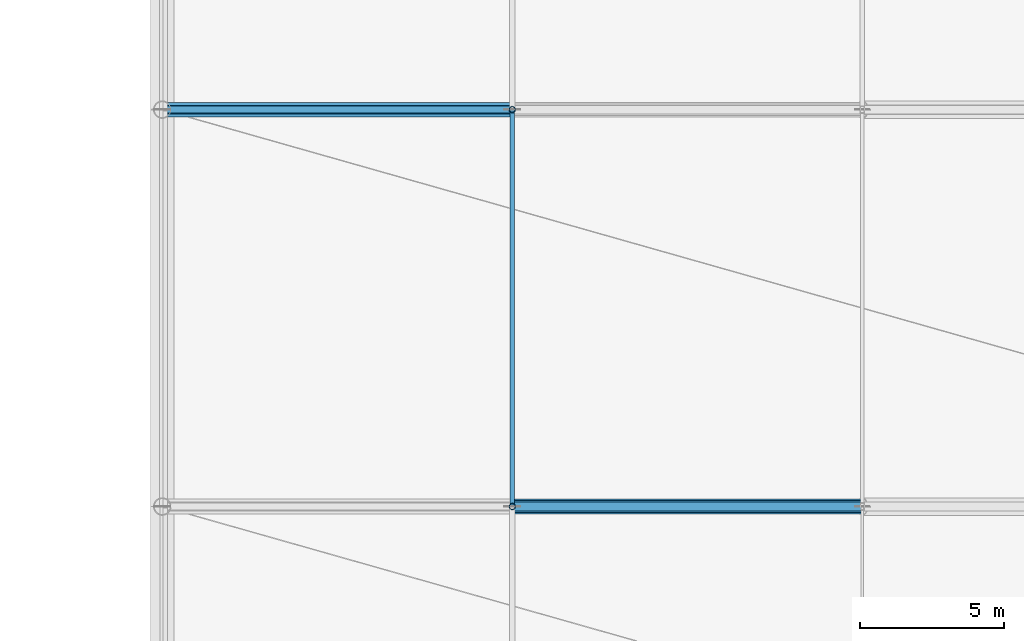
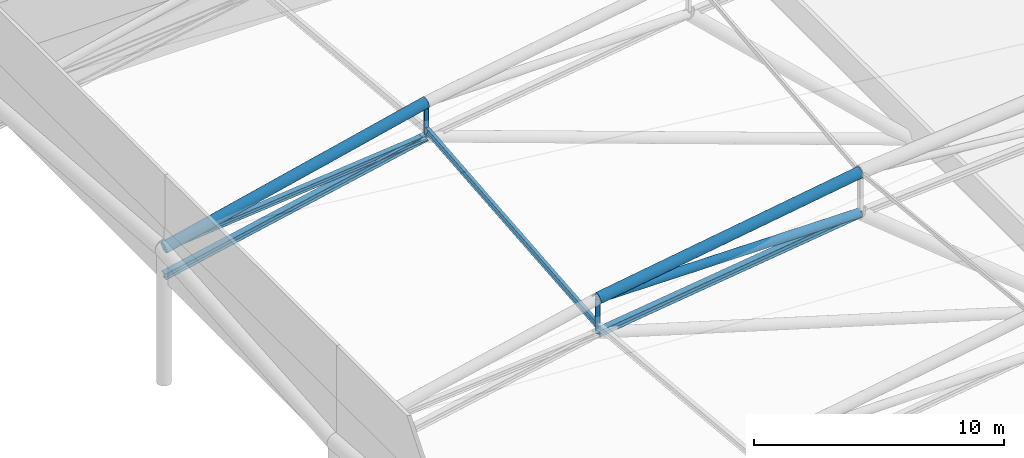
# One storey, part 47 of 113: 9 members.
"""IFC4 building model written with IfcOpenShell, lengths in metres."""

from ifc_helpers import new_model, si_unit, direction, frame, origin, origin_2d, place, context, subcontext, project, spatial, hollow_circle, i_section, extrude, material, material_profile, profile_set, type_object, element, save


model = new_model("IFC4")

# Units and contexts
model_context = context("Model", 3, precision=1e-05, world=origin(), true_north=direction((0.0, 1.0)))
body_context = subcontext(model_context, "Body", "Model", "MODEL_VIEW")
ifc_project = project(units=[si_unit("LENGTHUNIT", "METRE"), si_unit("AREAUNIT", "SQUARE_METRE"), si_unit("VOLUMEUNIT", "CUBIC_METRE"), si_unit("PLANEANGLEUNIT", "RADIAN"), si_unit("MASSUNIT", "GRAM", prefix="KILO")], contexts=[model_context])

# Site, building, storey
site_placement = place(None, origin())
site = spatial("IfcSite", under=ifc_project, at=site_placement, CompositionType="ELEMENT")
building_placement = place(site_placement, origin())
building = spatial("IfcBuilding", under=site, at=building_placement, Name="Linyun Crest Stadium", CompositionType="ELEMENT")
storey_placement = place(building_placement, frame((0.0, 0.0, 26.39990234375)))
storey = spatial("IfcBuildingStorey", under=building, at=storey_placement, Name="L06", CompositionType="ELEMENT", Elevation=26.39990234375)

# Members
ifc_material_1 = material(Name="Steel Q355B", Category="steel")
ifc_material_profile_1 = material_profile(ifc_material_1, i_section(OverallWidth=0.14990234375, OverallDepth=0.300048828125, WebThickness=0.007080078125, FlangeThickness=0.009033203125, at=origin_2d()), Name="HN 300x150")
ifc_profile_set_1 = profile_set([ifc_material_profile_1], Name="Steel Q355B")
member_type_1 = type_object("IfcMemberType", Name="PR01", PredefinedType="PURLIN", material=ifc_profile_set_1)
member_1_placement = place(storey_placement, frame((47.625, 15.875, 6.864013671875), z_axis=(0.0, 0.995872454286, 0.090763730608), x_axis=(-1.0, 0.0, 0.0)))
element("IfcMember", 1, at=member_1_placement, inside=storey, type_object=member_type_1, Name="Roof canopy purlin PR01 V2 354", PredefinedType="PURLIN", context=body_context, shape_type="SweptSolid", body=[
    extrude(i_section(OverallWidth=0.14990234375, OverallDepth=0.300048828125, WebThickness=0.007080078125, FlangeThickness=0.009033203125, at=origin_2d()), origin(), (0.0, 0.0, 1.0), 13.806884765625),
])
ifc_material_2 = material(Name="Steel Q420C", Category="steel")
ifc_material_profile_2 = material_profile(ifc_material_2, hollow_circle(Radius=0.25390625, WallThickness=0.02490234375, at=origin_2d()), Name="CHS 508x25")
ifc_profile_set_2 = profile_set([ifc_material_profile_2], Name="Steel Q420C")
member_type_2 = type_object("IfcMemberType", Name="TC01", PredefinedType="CHORD", material=ifc_profile_set_2)
member_2_placement = place(storey_placement, frame((59.75, 15.875, 10.09912109375), z_axis=(-0.987629907488, 0.0, -0.15680295225), x_axis=(0.0, -1.0, 0.0)))
element("IfcMember", 2, at=member_2_placement, inside=storey, type_object=member_type_2, Name="Roof truss top chord TC01 V2 285", PredefinedType="CHORD", context=body_context, shape_type="SweptSolid", body=[
    extrude(hollow_circle(Radius=0.25390625, WallThickness=0.02490234375, at=origin_2d()), origin(), (0.0, 0.0, 1.0), 12.27685546875),
])
member_3_placement = place(storey_placement, frame((47.625, 29.625, 9.427001953125), z_axis=(-0.973038645725, 0.0, -0.230642133889), x_axis=(0.0, -1.0, 0.0)))
element("IfcMember", 3, at=member_3_placement, inside=storey, type_object=member_type_2, Name="Roof truss top chord TC01 V2 308", PredefinedType="CHORD", context=body_context, shape_type="SweptSolid", body=[
    extrude(hollow_circle(Radius=0.25390625, WallThickness=0.02490234375, at=origin_2d()), origin(), (0.0, 0.0, 1.0), 12.4609375),
])
ifc_material_3 = material(Name="Steel Q355C", Category="steel")
ifc_material_profile_3 = material_profile(ifc_material_3, i_section(OverallWidth=0.300048828125, OverallDepth=0.300048828125, WebThickness=0.010009765625, FlangeThickness=0.014892578125, at=origin_2d()), Name="HW 300x300")
ifc_profile_set_3 = profile_set([ifc_material_profile_3], Name="Steel Q355C")
member_type_3 = type_object("IfcMemberType", Name="TC03", PredefinedType="CHORD", material=ifc_profile_set_3)
member_4_placement = place(storey_placement, frame((59.75, 15.875, 8.123046875), z_axis=(-0.99126673082, 0.0, -0.131872166771), x_axis=(0.0, -1.0, 0.0)))
element("IfcMember", 4, at=member_4_placement, inside=storey, type_object=member_type_3, Name="Roof truss bottom chord TC03 V2 286", PredefinedType="CHORD", context=body_context, shape_type="SweptSolid", body=[
    extrude(i_section(OverallWidth=0.300048828125, OverallDepth=0.300048828125, WebThickness=0.010009765625, FlangeThickness=0.014892578125, at=origin_2d()), origin(), (0.0, 0.0, 1.0), 12.23193359375),
])
member_5_placement = place(storey_placement, frame((47.625, 29.625, 7.76318359375), z_axis=(-0.978396930503, 0.0, -0.206735208374), x_axis=(0.0, -1.0, 0.0)))
element("IfcMember", 5, at=member_5_placement, inside=storey, type_object=member_type_3, Name="Roof truss bottom chord TC03 V2 309", PredefinedType="CHORD", context=body_context, shape_type="SweptSolid", body=[
    extrude(i_section(OverallWidth=0.300048828125, OverallDepth=0.300048828125, WebThickness=0.010009765625, FlangeThickness=0.014892578125, at=origin_2d()), origin(), (0.0, 0.0, 1.0), 12.392822265625),
])
ifc_material_4 = material(Name="Steel Q420C", Category="steel")
ifc_material_profile_4 = material_profile(ifc_material_4, hollow_circle(Radius=0.202880859375, WallThickness=0.02001953125, at=origin_2d()), Name="CHS 406x20")
ifc_profile_set_4 = profile_set([ifc_material_profile_4], Name="Steel Q420C")
member_type_4 = type_object("IfcMemberType", Name="TD03", PredefinedType="BRACE", material=ifc_profile_set_4)
member_6_placement = place(storey_placement, frame((59.75, 15.875, 8.123046875), z_axis=(-0.999991145309, 0.0, 0.004208242376), x_axis=(0.0, -1.0, 0.0)))
element("IfcMember", 6, at=member_6_placement, inside=storey, type_object=member_type_4, Name="Roof truss diagonal TD03 V2 287", PredefinedType="BRACE", context=body_context, shape_type="SweptSolid", body=[
    extrude(hollow_circle(Radius=0.202880859375, WallThickness=0.02001953125, at=origin_2d()), origin(), (0.0, 0.0, 1.0), 12.125),
])
ifc_material_5 = material(Name="Steel Q355C", Category="steel")
ifc_material_profile_5 = material_profile(ifc_material_5, i_section(OverallWidth=0.25, OverallDepth=0.25, WebThickness=0.009033203125, FlangeThickness=0.013916015625, at=origin_2d()), Name="HW 250x250")
ifc_profile_set_5 = profile_set([ifc_material_profile_5], Name="Steel Q355C")
member_type_5 = type_object("IfcMemberType", Name="TD04", PredefinedType="BRACE", material=ifc_profile_set_5)
member_7_placement = place(storey_placement, frame((47.625, 29.625, 7.76318359375), z_axis=(-0.995055819877, 0.0, -0.099317245875), x_axis=(0.0, -1.0, 0.0)))
element("IfcMember", 7, at=member_7_placement, inside=storey, type_object=member_type_5, Name="Roof truss diagonal TD04 V2 310", PredefinedType="BRACE", context=body_context, shape_type="SweptSolid", body=[
    extrude(i_section(OverallWidth=0.25, OverallDepth=0.25, WebThickness=0.009033203125, FlangeThickness=0.013916015625, at=origin_2d()), origin(), (0.0, 0.0, 1.0), 12.185302734375),
])
ifc_material_6 = material(Name="Steel Q355C", Category="steel")
ifc_material_profile_6 = material_profile(ifc_material_6, hollow_circle(Radius=0.109619140625, WallThickness=0.011962890625, at=origin_2d()), Name="CHS 219x12")
ifc_profile_set_6 = profile_set([ifc_material_profile_6], Name="Steel Q355C")
member_type_6 = type_object("IfcMemberType", Name="TV01", PredefinedType="STRUT", material=ifc_profile_set_6)
member_8_placement = place(storey_placement, frame((47.625, 15.875, 6.510009765625), z_axis=(0.0, 0.0, 1.0), x_axis=(1.0, 0.0, 0.0)))
element("IfcMember", 8, at=member_8_placement, inside=storey, type_object=member_type_6, Name="Roof vertical strut TV01 V2 292", PredefinedType="STRUT", context=body_context, shape_type="SweptSolid", body=[
    extrude(hollow_circle(Radius=0.109619140625, WallThickness=0.011962890625, at=origin_2d()), origin(), (0.0, 0.0, 1.0), 1.6640625),
])
member_9_placement = place(storey_placement, frame((47.625, 29.625, 7.76318359375), z_axis=(0.0, 0.0, 1.0), x_axis=(1.0, 0.0, 0.0)))
element("IfcMember", 9, at=member_9_placement, inside=storey, type_object=member_type_6, Name="Roof vertical strut TV01 V2 311", PredefinedType="STRUT", context=body_context, shape_type="SweptSolid", body=[
    extrude(hollow_circle(Radius=0.109619140625, WallThickness=0.011962890625, at=origin_2d()), origin(), (0.0, 0.0, 1.0), 1.663818359375),
])

save(model, "model.ifc")
